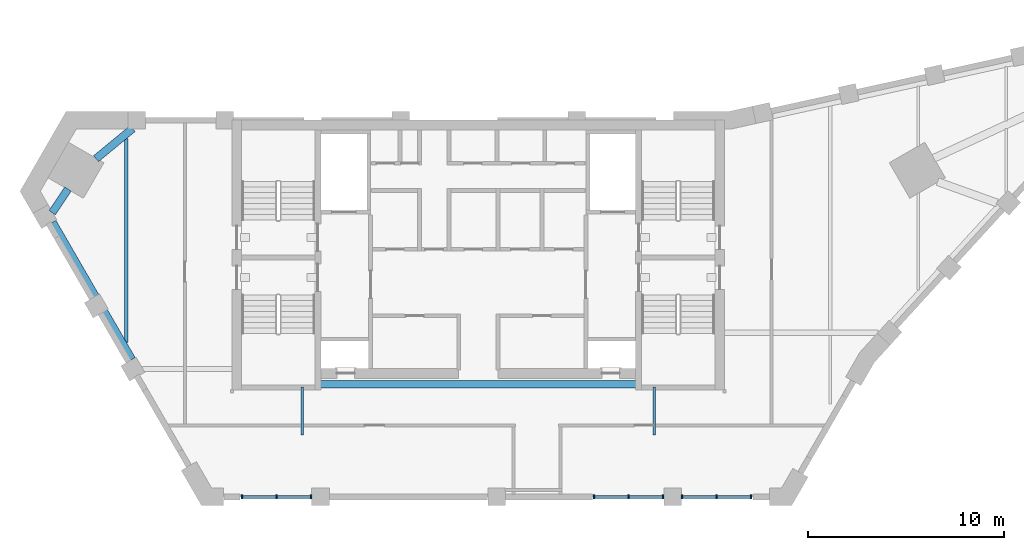
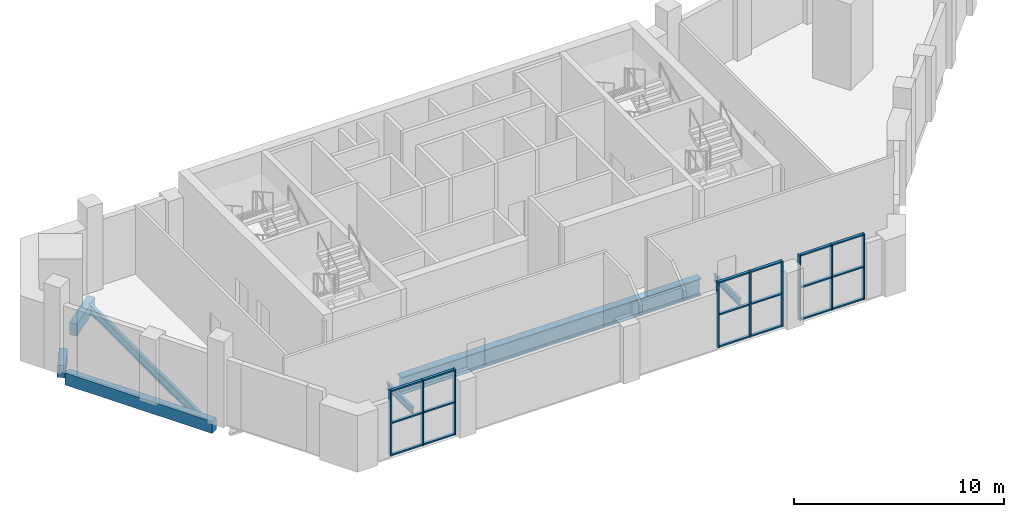
# One storey, part 2 of 9: 27 members, 7 beams, 3 elements without a shape of their own.
"""IFC4 building model written with IfcOpenShell, lengths in metres."""

from ifc_helpers import new_model, si_unit, direction, frame, origin, origin_2d, place, context, subcontext, project, spatial, rectangle, i_section, extrude, material, material_profile, profile_set, type_object, element, aggregate, save


model = new_model("IFC4")

# Units and contexts
model_context = context("Model", 3, precision=1e-05, world=origin(), true_north=direction((0.0, 1.0)))
body_context = subcontext(model_context, "Body", "Model", "MODEL_VIEW")
ifc_project = project(units=[si_unit("LENGTHUNIT", "METRE"), si_unit("AREAUNIT", "SQUARE_METRE"), si_unit("VOLUMEUNIT", "CUBIC_METRE"), si_unit("PLANEANGLEUNIT", "RADIAN"), si_unit("MASSUNIT", "GRAM", prefix="KILO")], contexts=[model_context])

# Site, building, storey
site_placement = place(None, origin())
site = spatial("IfcSite", under=ifc_project, at=site_placement, CompositionType="ELEMENT")
building_placement = place(site_placement, origin())
building = spatial("IfcBuilding", under=site, at=building_placement, Name="Calabash Gate Tower", CompositionType="ELEMENT")
storey_placement = place(building_placement, frame((0.0, 0.0, 330.5)))
storey = spatial("IfcBuildingStorey", under=building, at=storey_placement, Name="L77", CompositionType="ELEMENT", Elevation=330.5)

# Beams
ifc_material_1 = material(Name="Concrete C50/60", Category="concrete")
ifc_material_profile_1 = material_profile(ifc_material_1, rectangle(XDim=0.39990234375, YDim=0.699951171875, at=origin_2d()))
ifc_profile_set_1 = profile_set([ifc_material_profile_1], Name="Concrete C50/60")
beam_type_1 = type_object("IfcBeamType", Name="Edge beam RC 400x700 Concrete C50/60", PredefinedType="BEAM", material=ifc_profile_set_1)
beam_1_placement = place(storey_placement, frame((-17.673095703125, 18.623046875, -0.550048828125), z_axis=(-0.77193605732, -0.635700183585, 0.0), x_axis=(0.635700183585, -0.77193605732, 0.0)))
element("IfcBeam", 1, at=beam_1_placement, inside=storey, type_object=beam_type_1, Name="Edge beam L77 7", PredefinedType="BEAM", context=body_context, shape_type="SweptSolid", body=[
    extrude(rectangle(XDim=0.39990234375, YDim=0.699951171875, at=origin_2d()), origin(), (0.0, 0.0, 1.0), 2.421142578125),
])
beam_2_placement = place(storey_placement, frame((-20.97412109375, 15.535888671875, -0.550048828125), z_axis=(-0.556208441461, -0.831042820586, 0.0), x_axis=(0.831042820586, -0.556208441461, 0.0)))
element("IfcBeam", 2, at=beam_2_placement, inside=storey, type_object=beam_type_1, Name="Edge beam L77 8", PredefinedType="BEAM", context=body_context, shape_type="SweptSolid", body=[
    extrude(rectangle(XDim=0.39990234375, YDim=0.699951171875, at=origin_2d()), origin(), (0.0, 0.0, 1.0), 1.4560546875),
])
beam_3_placement = place(storey_placement, frame((-21.763916015625, 13.830078125, -0.550048828125), z_axis=(0.500016430238, -0.866015917575, 0.0), x_axis=(0.866015917575, 0.500016430238, 0.0)))
element("IfcBeam", 3, at=beam_3_placement, inside=storey, type_object=beam_type_1, Name="Edge beam L77 9", PredefinedType="BEAM", context=body_context, shape_type="SweptSolid", body=[
    extrude(rectangle(XDim=0.39990234375, YDim=0.699951171875, at=origin_2d()), origin(), (0.0, 0.0, 1.0), 8.099365234375),
])
ifc_material_2 = material(Name="Steel ASTM A992 Gr50", Category="steel")
ifc_material_profile_2 = material_profile(ifc_material_2, i_section(OverallWidth=0.1396484375, OverallDepth=0.398681640625, WebThickness=0.00634765625, FlangeThickness=0.0087890625, FilletRadius=0.01025390625, at=origin_2d()))
ifc_profile_set_2 = profile_set([ifc_material_profile_2], Name="Steel ASTM A992 Gr50")
beam_type_2 = type_object("IfcBeamType", Name="Floor beam W16x26 ASTM A992 Gr50", PredefinedType="BEAM", material=ifc_profile_set_2)
for number, where, z_axis, x_axis, name in (
    (4, (-9.0, 2.949951171875, -0.39892578125), (0.0, 1.0, 0.0), (-1.0, 0.0, 0.0), "Floor beam L77 2"),
    (5, (9.0, 2.949951171875, -0.39892578125), (0.0, 1.0, 0.0), (-1.0, 0.0, 0.0), "Floor beam L77 3"),
):
    element("IfcBeam", number, at=place(storey_placement, frame(where, z_axis=z_axis, x_axis=x_axis)), inside=storey, type_object=beam_type_2, Name=name, PredefinedType="BEAM", context=body_context, shape_type="SweptSolid", body=[
        extrude(i_section(OverallWidth=0.1396484375, OverallDepth=0.398681640625, WebThickness=0.00634765625, FlangeThickness=0.0087890625, FilletRadius=0.01025390625, at=origin_2d()), origin(), (0.0, 0.0, 1.0), 2.453125),
    ])
ifc_material_3 = material(Name="Steel ASTM A992 Gr50", Category="steel")
ifc_material_profile_3 = material_profile(ifc_material_3, i_section(OverallWidth=0.166015625, OverallDepth=0.5283203125, WebThickness=0.009765625, FlangeThickness=0.013671875, FilletRadius=0.0126953125, at=origin_2d()))
ifc_profile_set_3 = profile_set([ifc_material_profile_3], Name="Steel ASTM A992 Gr50")
beam_type_3 = type_object("IfcBeamType", Name="Floor beam W21x50 ASTM A992 Gr50", PredefinedType="BEAM", material=ifc_profile_set_3)
beam_4_placement = place(storey_placement, frame((-18.0, 7.679931640625, -0.464111328125), z_axis=(0.0, 1.0, 0.0), x_axis=(-1.0, 0.0, 0.0)))
element("IfcBeam", 6, at=beam_4_placement, inside=storey, type_object=beam_type_3, Name="Floor beam L77 1", PredefinedType="BEAM", context=body_context, shape_type="SweptSolid", body=[
    extrude(i_section(OverallWidth=0.166015625, OverallDepth=0.5283203125, WebThickness=0.009765625, FlangeThickness=0.013671875, FilletRadius=0.0126953125, at=origin_2d()), origin(), (0.0, 0.0, 1.0), 10.43701171875),
])
ifc_material_4 = material(Name="Steel ASTM A992 Gr50", Category="steel")
ifc_material_profile_4 = material_profile(ifc_material_4, i_section(OverallWidth=0.4013671875, OverallDepth=1.000732421875, WebThickness=0.01904296875, FlangeThickness=0.0361328125, FilletRadius=0.030029296875, at=origin_2d()))
ifc_profile_set_4 = profile_set([ifc_material_profile_4], Name="Steel ASTM A992 Gr50")
beam_type_4 = type_object("IfcBeamType", Name="Girder W40x249 ASTM A992 Gr50", PredefinedType="BEAM", material=ifc_profile_set_4)
beam_5_placement = place(storey_placement, frame((-8.25, 5.552978515625, -0.699951171875), z_axis=(1.0, 0.0, 0.0), x_axis=(0.0, 1.0, 0.0)))
element("IfcBeam", 7, at=beam_5_placement, inside=storey, type_object=beam_type_4, Name="Girder L77 1", PredefinedType="BEAM", context=body_context, shape_type="SweptSolid", body=[
    extrude(i_section(OverallWidth=0.4013671875, OverallDepth=1.000732421875, WebThickness=0.01904296875, FlangeThickness=0.0361328125, FilletRadius=0.030029296875, at=origin_2d()), origin(), (0.0, 0.0, 1.0), 16.5),
])

# Curtain wall, members
ifc_material_5 = material(Name="Anodised aluminium frame, bronze finish, clear laminated impact-rated glazing", Category="aluminium")
curtain_wall_type = type_object("IfcCurtainWallType", Name="Curtain wall CWV crown wall", PredefinedType="NOTDEFINED", material=ifc_material_5)
curtain_wall_1_placement = place(storey_placement, origin())
curtain_wall_1 = element("IfcCurtainWall", 8, at=curtain_wall_1_placement, inside=storey, type_object=curtain_wall_type, Name="Curtain wall CWV L77 crown1.1", PredefinedType="NOTDEFINED")
ifc_material_6 = material(Name="Anodised aluminium frame, bronze finish", Category="aluminium")
ifc_material_profile_5 = material_profile(ifc_material_6, rectangle(XDim=0.199951171875, YDim=0.074951171875, at=origin_2d()))
ifc_profile_set_5 = profile_set([ifc_material_profile_5], Name="Anodised aluminium frame, bronze finish")
member_type_1 = type_object("IfcMemberType", Name="Mullion CWV 75x200", PredefinedType="MULLION", material=ifc_profile_set_5)
member_1_placement = place(storey_placement, frame((-12.07666015625, -0.204345703125, 0.0), z_axis=(0.0, 0.0, 1.0), x_axis=(0.0, 1.0, 0.0)))
member_1 = element("IfcMember", 9, at=member_1_placement, type_object=member_type_1, Name="CWV mullion 1", PredefinedType="MULLION", context=body_context, shape_type="SweptSolid", body=[
    extrude(rectangle(XDim=0.199951171875, YDim=0.074951171875, at=origin_2d()), origin(), (0.0, 0.0, 1.0), 3.800048828125),
])
member_2_placement = place(storey_placement, frame((-10.314208984375, -0.204345703125, 0.0), z_axis=(0.0, 0.0, 1.0), x_axis=(0.0, 1.0, 0.0)))
member_2 = element("IfcMember", 10, at=member_2_placement, type_object=member_type_1, Name="CWV mullion 2", PredefinedType="MULLION", context=body_context, shape_type="SweptSolid", body=[
    extrude(rectangle(XDim=0.199951171875, YDim=0.074951171875, at=origin_2d()), origin(), (0.0, 0.0, 1.0), 3.800048828125),
])
member_3_placement = place(storey_placement, frame((-8.551513671875, -0.204345703125, 0.0), z_axis=(0.0, 0.0, 1.0), x_axis=(0.0, 1.0, 0.0)))
member_3 = element("IfcMember", 11, at=member_3_placement, type_object=member_type_1, Name="CWV mullion 3", PredefinedType="MULLION", context=body_context, shape_type="SweptSolid", body=[
    extrude(rectangle(XDim=0.199951171875, YDim=0.074951171875, at=origin_2d()), origin(), (0.0, 0.0, 1.0), 3.800048828125),
])

curtain_wall_2_placement = place(storey_placement, origin())
curtain_wall_2 = element("IfcCurtainWall", 12, at=curtain_wall_2_placement, inside=storey, type_object=curtain_wall_type, Name="Curtain wall CWV L77 crown1.5", PredefinedType="NOTDEFINED")
member_4_placement = place(storey_placement, frame((5.92333984375, -0.204345703125, 0.0), z_axis=(0.0, 0.0, 1.0), x_axis=(0.0, 1.0, 0.0)))
member_4 = element("IfcMember", 13, at=member_4_placement, type_object=member_type_1, Name="CWV mullion 1", PredefinedType="MULLION", context=body_context, shape_type="SweptSolid", body=[
    extrude(rectangle(XDim=0.199951171875, YDim=0.074951171875, at=origin_2d()), origin(), (0.0, 0.0, 1.0), 3.800048828125),
])
member_5_placement = place(storey_placement, frame((7.685791015625, -0.204345703125, 0.0), z_axis=(0.0, 0.0, 1.0), x_axis=(0.0, 1.0, 0.0)))
member_5 = element("IfcMember", 14, at=member_5_placement, type_object=member_type_1, Name="CWV mullion 2", PredefinedType="MULLION", context=body_context, shape_type="SweptSolid", body=[
    extrude(rectangle(XDim=0.199951171875, YDim=0.074951171875, at=origin_2d()), origin(), (0.0, 0.0, 1.0), 3.800048828125),
])
member_6_placement = place(storey_placement, frame((9.448486328125, -0.204345703125, 0.0), z_axis=(0.0, 0.0, 1.0), x_axis=(0.0, 1.0, 0.0)))
member_6 = element("IfcMember", 15, at=member_6_placement, type_object=member_type_1, Name="CWV mullion 3", PredefinedType="MULLION", context=body_context, shape_type="SweptSolid", body=[
    extrude(rectangle(XDim=0.199951171875, YDim=0.074951171875, at=origin_2d()), origin(), (0.0, 0.0, 1.0), 3.800048828125),
])

curtain_wall_3_placement = place(storey_placement, origin())
curtain_wall_3 = element("IfcCurtainWall", 16, at=curtain_wall_3_placement, inside=storey, type_object=curtain_wall_type, Name="Curtain wall CWV L77 crown1.6", PredefinedType="NOTDEFINED")
member_7_placement = place(storey_placement, frame((10.42333984375, -0.204345703125, 0.0), z_axis=(0.0, 0.0, 1.0), x_axis=(0.0, 1.0, 0.0)))
member_7 = element("IfcMember", 17, at=member_7_placement, type_object=member_type_1, Name="CWV mullion 1", PredefinedType="MULLION", context=body_context, shape_type="SweptSolid", body=[
    extrude(rectangle(XDim=0.199951171875, YDim=0.074951171875, at=origin_2d()), origin(), (0.0, 0.0, 1.0), 3.800048828125),
])
member_8_placement = place(storey_placement, frame((12.185791015625, -0.204345703125, 0.0), z_axis=(0.0, 0.0, 1.0), x_axis=(0.0, 1.0, 0.0)))
member_8 = element("IfcMember", 18, at=member_8_placement, type_object=member_type_1, Name="CWV mullion 2", PredefinedType="MULLION", context=body_context, shape_type="SweptSolid", body=[
    extrude(rectangle(XDim=0.199951171875, YDim=0.074951171875, at=origin_2d()), origin(), (0.0, 0.0, 1.0), 3.800048828125),
])
member_9_placement = place(storey_placement, frame((13.948486328125, -0.204345703125, 0.0), z_axis=(0.0, 0.0, 1.0), x_axis=(0.0, 1.0, 0.0)))
member_9 = element("IfcMember", 19, at=member_9_placement, type_object=member_type_1, Name="CWV mullion 3", PredefinedType="MULLION", context=body_context, shape_type="SweptSolid", body=[
    extrude(rectangle(XDim=0.199951171875, YDim=0.074951171875, at=origin_2d()), origin(), (0.0, 0.0, 1.0), 3.800048828125),
])

# Member
ifc_material_7 = material(Name="Anodised aluminium frame, bronze finish", Category="aluminium")
ifc_material_profile_6 = material_profile(ifc_material_7, rectangle(XDim=0.159912109375, YDim=0.074951171875, at=origin_2d()))
ifc_profile_set_6 = profile_set([ifc_material_profile_6], Name="Anodised aluminium frame, bronze finish")
member_type_2 = type_object("IfcMemberType", Name="Transom CWV 75x160", PredefinedType="USERDEFINED", material=ifc_profile_set_6)
member_10_placement = place(storey_placement, frame((-12.0390625, -0.204345703125, 0.03759765625), z_axis=(1.0, 0.0, 0.0), x_axis=(0.0, 1.0, 0.0)))
member_10 = element("IfcMember", 20, at=member_10_placement, type_object=member_type_2, Name="CWV transom 1.1", ObjectType="TRANSOM", PredefinedType="USERDEFINED", context=body_context, shape_type="SweptSolid", body=[
    extrude(rectangle(XDim=0.159912109375, YDim=0.074951171875, at=origin_2d()), origin(), (0.0, 0.0, 1.0), 1.6875),
])

member_11_placement = place(storey_placement, frame((-12.0390625, -0.204345703125, 1.89990234375), z_axis=(1.0, 0.0, 0.0), x_axis=(0.0, 1.0, 0.0)))
member_11 = element("IfcMember", 21, at=member_11_placement, type_object=member_type_2, Name="CWV transom 1.2", ObjectType="TRANSOM", PredefinedType="USERDEFINED", context=body_context, shape_type="SweptSolid", body=[
    extrude(rectangle(XDim=0.159912109375, YDim=0.074951171875, at=origin_2d()), origin(), (0.0, 0.0, 1.0), 1.6875),
])

member_12_placement = place(storey_placement, frame((-12.0390625, -0.204345703125, 3.762451171875), z_axis=(1.0, 0.0, 0.0), x_axis=(0.0, 1.0, 0.0)))
member_12 = element("IfcMember", 22, at=member_12_placement, type_object=member_type_2, Name="CWV transom 1.3", ObjectType="TRANSOM", PredefinedType="USERDEFINED", context=body_context, shape_type="SweptSolid", body=[
    extrude(rectangle(XDim=0.159912109375, YDim=0.074951171875, at=origin_2d()), origin(), (0.0, 0.0, 1.0), 1.6875),
])

member_13_placement = place(storey_placement, frame((-10.276611328125, -0.204345703125, 0.03759765625), z_axis=(1.0, 0.0, 0.0), x_axis=(0.0, 1.0, 0.0)))
member_13 = element("IfcMember", 23, at=member_13_placement, type_object=member_type_2, Name="CWV transom 2.1", ObjectType="TRANSOM", PredefinedType="USERDEFINED", context=body_context, shape_type="SweptSolid", body=[
    extrude(rectangle(XDim=0.159912109375, YDim=0.074951171875, at=origin_2d()), origin(), (0.0, 0.0, 1.0), 1.6875),
])

member_14_placement = place(storey_placement, frame((-10.276611328125, -0.204345703125, 1.89990234375), z_axis=(1.0, 0.0, 0.0), x_axis=(0.0, 1.0, 0.0)))
member_14 = element("IfcMember", 24, at=member_14_placement, type_object=member_type_2, Name="CWV transom 2.2", ObjectType="TRANSOM", PredefinedType="USERDEFINED", context=body_context, shape_type="SweptSolid", body=[
    extrude(rectangle(XDim=0.159912109375, YDim=0.074951171875, at=origin_2d()), origin(), (0.0, 0.0, 1.0), 1.6875),
])

member_15_placement = place(storey_placement, frame((-10.276611328125, -0.204345703125, 3.762451171875), z_axis=(1.0, 0.0, 0.0), x_axis=(0.0, 1.0, 0.0)))
member_15 = element("IfcMember", 25, at=member_15_placement, type_object=member_type_2, Name="CWV transom 2.3", ObjectType="TRANSOM", PredefinedType="USERDEFINED", context=body_context, shape_type="SweptSolid", body=[
    extrude(rectangle(XDim=0.159912109375, YDim=0.074951171875, at=origin_2d()), origin(), (0.0, 0.0, 1.0), 1.6875),
])

aggregate(curtain_wall_1, [member_1, member_2, member_3, member_10, member_11, member_12, member_13, member_14, member_15])

member_16_placement = place(storey_placement, frame((5.9609375, -0.204345703125, 0.03759765625), z_axis=(1.0, 0.0, 0.0), x_axis=(0.0, 1.0, 0.0)))
member_16 = element("IfcMember", 26, at=member_16_placement, type_object=member_type_2, Name="CWV transom 1.1", ObjectType="TRANSOM", PredefinedType="USERDEFINED", context=body_context, shape_type="SweptSolid", body=[
    extrude(rectangle(XDim=0.159912109375, YDim=0.074951171875, at=origin_2d()), origin(), (0.0, 0.0, 1.0), 1.6875),
])

member_17_placement = place(storey_placement, frame((5.9609375, -0.204345703125, 1.89990234375), z_axis=(1.0, 0.0, 0.0), x_axis=(0.0, 1.0, 0.0)))
member_17 = element("IfcMember", 27, at=member_17_placement, type_object=member_type_2, Name="CWV transom 1.2", ObjectType="TRANSOM", PredefinedType="USERDEFINED", context=body_context, shape_type="SweptSolid", body=[
    extrude(rectangle(XDim=0.159912109375, YDim=0.074951171875, at=origin_2d()), origin(), (0.0, 0.0, 1.0), 1.6875),
])

member_18_placement = place(storey_placement, frame((5.9609375, -0.204345703125, 3.762451171875), z_axis=(1.0, 0.0, 0.0), x_axis=(0.0, 1.0, 0.0)))
member_18 = element("IfcMember", 28, at=member_18_placement, type_object=member_type_2, Name="CWV transom 1.3", ObjectType="TRANSOM", PredefinedType="USERDEFINED", context=body_context, shape_type="SweptSolid", body=[
    extrude(rectangle(XDim=0.159912109375, YDim=0.074951171875, at=origin_2d()), origin(), (0.0, 0.0, 1.0), 1.6875),
])

member_19_placement = place(storey_placement, frame((7.723388671875, -0.204345703125, 0.03759765625), z_axis=(1.0, 0.0, 0.0), x_axis=(0.0, 1.0, 0.0)))
member_19 = element("IfcMember", 29, at=member_19_placement, type_object=member_type_2, Name="CWV transom 2.1", ObjectType="TRANSOM", PredefinedType="USERDEFINED", context=body_context, shape_type="SweptSolid", body=[
    extrude(rectangle(XDim=0.159912109375, YDim=0.074951171875, at=origin_2d()), origin(), (0.0, 0.0, 1.0), 1.6875),
])

member_20_placement = place(storey_placement, frame((7.723388671875, -0.204345703125, 1.89990234375), z_axis=(1.0, 0.0, 0.0), x_axis=(0.0, 1.0, 0.0)))
member_20 = element("IfcMember", 30, at=member_20_placement, type_object=member_type_2, Name="CWV transom 2.2", ObjectType="TRANSOM", PredefinedType="USERDEFINED", context=body_context, shape_type="SweptSolid", body=[
    extrude(rectangle(XDim=0.159912109375, YDim=0.074951171875, at=origin_2d()), origin(), (0.0, 0.0, 1.0), 1.6875),
])

member_21_placement = place(storey_placement, frame((7.723388671875, -0.204345703125, 3.762451171875), z_axis=(1.0, 0.0, 0.0), x_axis=(0.0, 1.0, 0.0)))
member_21 = element("IfcMember", 31, at=member_21_placement, type_object=member_type_2, Name="CWV transom 2.3", ObjectType="TRANSOM", PredefinedType="USERDEFINED", context=body_context, shape_type="SweptSolid", body=[
    extrude(rectangle(XDim=0.159912109375, YDim=0.074951171875, at=origin_2d()), origin(), (0.0, 0.0, 1.0), 1.6875),
])

aggregate(curtain_wall_2, [member_4, member_5, member_6, member_16, member_17, member_18, member_19, member_20, member_21])

member_22_placement = place(storey_placement, frame((10.4609375, -0.204345703125, 0.03759765625), z_axis=(1.0, 0.0, 0.0), x_axis=(0.0, 1.0, 0.0)))
member_22 = element("IfcMember", 32, at=member_22_placement, type_object=member_type_2, Name="CWV transom 1.1", ObjectType="TRANSOM", PredefinedType="USERDEFINED", context=body_context, shape_type="SweptSolid", body=[
    extrude(rectangle(XDim=0.159912109375, YDim=0.074951171875, at=origin_2d()), origin(), (0.0, 0.0, 1.0), 1.6875),
])

member_23_placement = place(storey_placement, frame((10.4609375, -0.204345703125, 1.89990234375), z_axis=(1.0, 0.0, 0.0), x_axis=(0.0, 1.0, 0.0)))
member_23 = element("IfcMember", 33, at=member_23_placement, type_object=member_type_2, Name="CWV transom 1.2", ObjectType="TRANSOM", PredefinedType="USERDEFINED", context=body_context, shape_type="SweptSolid", body=[
    extrude(rectangle(XDim=0.159912109375, YDim=0.074951171875, at=origin_2d()), origin(), (0.0, 0.0, 1.0), 1.6875),
])

member_24_placement = place(storey_placement, frame((10.4609375, -0.204345703125, 3.762451171875), z_axis=(1.0, 0.0, 0.0), x_axis=(0.0, 1.0, 0.0)))
member_24 = element("IfcMember", 34, at=member_24_placement, type_object=member_type_2, Name="CWV transom 1.3", ObjectType="TRANSOM", PredefinedType="USERDEFINED", context=body_context, shape_type="SweptSolid", body=[
    extrude(rectangle(XDim=0.159912109375, YDim=0.074951171875, at=origin_2d()), origin(), (0.0, 0.0, 1.0), 1.6875),
])

member_25_placement = place(storey_placement, frame((12.223388671875, -0.204345703125, 0.03759765625), z_axis=(1.0, 0.0, 0.0), x_axis=(0.0, 1.0, 0.0)))
member_25 = element("IfcMember", 35, at=member_25_placement, type_object=member_type_2, Name="CWV transom 2.1", ObjectType="TRANSOM", PredefinedType="USERDEFINED", context=body_context, shape_type="SweptSolid", body=[
    extrude(rectangle(XDim=0.159912109375, YDim=0.074951171875, at=origin_2d()), origin(), (0.0, 0.0, 1.0), 1.6875),
])

member_26_placement = place(storey_placement, frame((12.223388671875, -0.204345703125, 1.89990234375), z_axis=(1.0, 0.0, 0.0), x_axis=(0.0, 1.0, 0.0)))
member_26 = element("IfcMember", 36, at=member_26_placement, type_object=member_type_2, Name="CWV transom 2.2", ObjectType="TRANSOM", PredefinedType="USERDEFINED", context=body_context, shape_type="SweptSolid", body=[
    extrude(rectangle(XDim=0.159912109375, YDim=0.074951171875, at=origin_2d()), origin(), (0.0, 0.0, 1.0), 1.6875),
])

member_27_placement = place(storey_placement, frame((12.223388671875, -0.204345703125, 3.762451171875), z_axis=(1.0, 0.0, 0.0), x_axis=(0.0, 1.0, 0.0)))
member_27 = element("IfcMember", 37, at=member_27_placement, type_object=member_type_2, Name="CWV transom 2.3", ObjectType="TRANSOM", PredefinedType="USERDEFINED", context=body_context, shape_type="SweptSolid", body=[
    extrude(rectangle(XDim=0.159912109375, YDim=0.074951171875, at=origin_2d()), origin(), (0.0, 0.0, 1.0), 1.6875),
])

aggregate(curtain_wall_3, [member_7, member_8, member_9, member_22, member_23, member_24, member_25, member_26, member_27])

save(model, "model.ifc")
